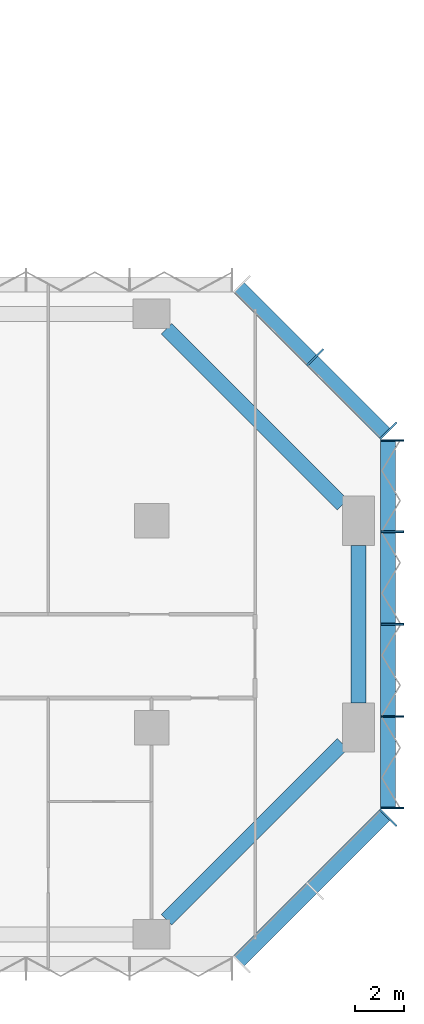
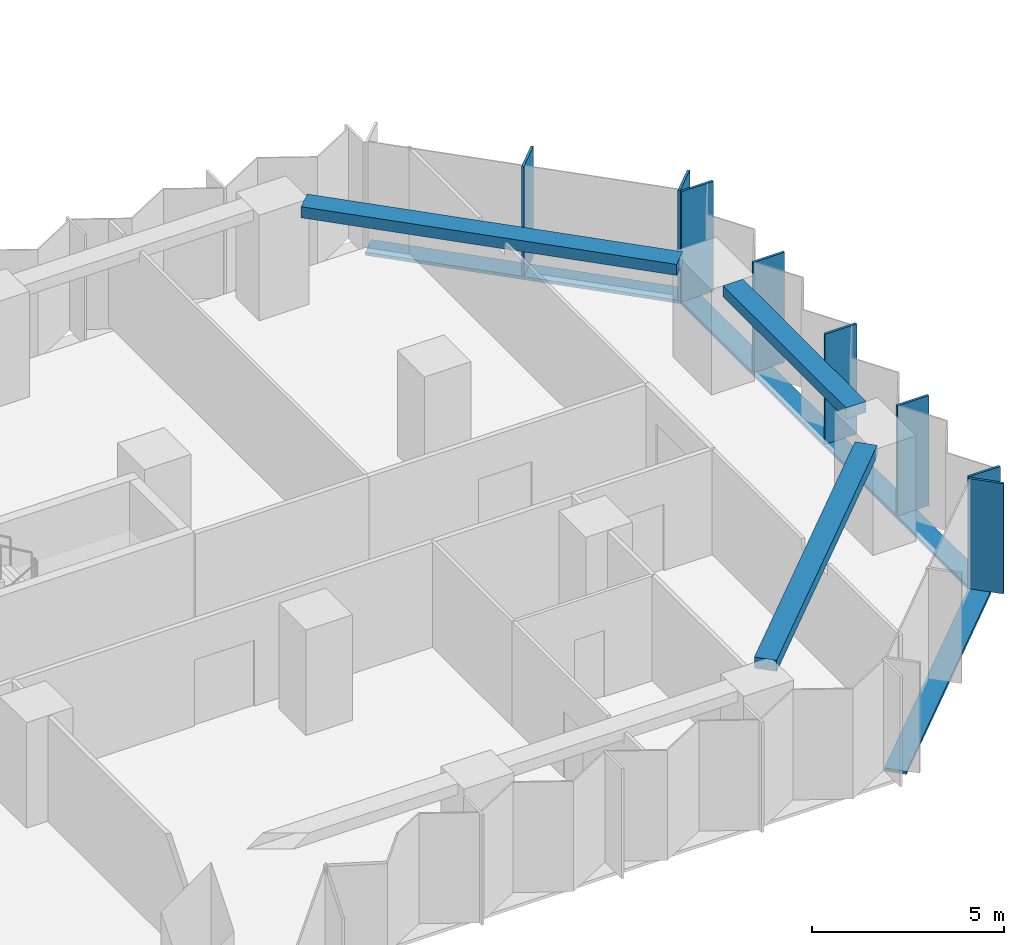
# One storey, part 4 of 15: 11 members, 3 beams, 3 elements without a shape of their own.
"""IFC4 building model written with IfcOpenShell, lengths in metres."""

from ifc_helpers import new_model, si_unit, direction, frame, origin, origin_2d, place, context, subcontext, project, spatial, rectangle, extrude, material, material_profile, profile_set, type_object, element, aggregate, save


model = new_model("IFC4")

# Units and contexts
model_context = context("Model", 3, precision=1e-05, world=origin(), true_north=direction((0.0, 1.0)))
body_context = subcontext(model_context, "Body", "Model", "MODEL_VIEW")
ifc_project = project(units=[si_unit("LENGTHUNIT", "METRE"), si_unit("AREAUNIT", "SQUARE_METRE"), si_unit("VOLUMEUNIT", "CUBIC_METRE"), si_unit("PLANEANGLEUNIT", "RADIAN"), si_unit("MASSUNIT", "GRAM", prefix="KILO")], contexts=[model_context])

# Site, building, storey
site_placement = place(None, origin())
site = spatial("IfcSite", under=ifc_project, at=site_placement, CompositionType="ELEMENT")
building_placement = place(site_placement, origin())
building = spatial("IfcBuilding", under=site, at=building_placement, Name="Brevane Broadcast Tower", CompositionType="ELEMENT")
storey_placement = place(building_placement, frame((0.0, 0.0, 58.10009765625)))
storey = spatial("IfcBuildingStorey", under=building, at=storey_placement, Name="L12", CompositionType="ELEMENT", Elevation=58.10009765625)

# Curtain wall, member
ifc_material_1 = material(Name="Aluminium 6063-T6 bronze anodised", Category="aluminium")
curtain_wall_type = type_object("IfcCurtainWallType", Name="CW-1 curtain wall", PredefinedType="NOTDEFINED", material=ifc_material_1)
curtain_wall_1_placement = place(storey_placement, origin())
curtain_wall_1 = element("IfcCurtainWall", 1, at=curtain_wall_1_placement, inside=storey, type_object=curtain_wall_type, Name="CW-1 typical tilted unit L12 south-east chamfer", PredefinedType="NOTDEFINED")
ifc_material_profile_1 = material_profile(ifc_material_1, rectangle(XDim=0.949951171875, YDim=0.070068359375, at=origin_2d()), Name="RECT 70x950")
ifc_profile_set_1 = profile_set([ifc_material_profile_1], Name="Aluminium 6063-T6 bronze anodised")
member_type_1 = type_object("IfcMemberType", Name="CW-1 mullion 70x950", PredefinedType="MULLION", material=ifc_profile_set_1)
member_1_placement = place(storey_placement, frame((68.4111328125, 4.7392578125, -0.150146484375), z_axis=(0.0, 0.0, 1.0), x_axis=(-0.707106781187, 0.707106781187, 0.0)))
member_1 = element("IfcMember", 2, at=member_1_placement, type_object=member_type_1, Name="CW-1 mullion", PredefinedType="MULLION", context=body_context, shape_type="SweptSolid", body=[
    extrude(rectangle(XDim=0.949951171875, YDim=0.070068359375, at=origin_2d()), origin(), (0.0, 0.0, 1.0), 3.5),
])

# Curtain wall, members
curtain_wall_2_placement = place(storey_placement, origin())
curtain_wall_2 = element("IfcCurtainWall", 3, at=curtain_wall_2_placement, inside=storey, type_object=curtain_wall_type, Name="CW-1 typical tilted unit L12 east end", PredefinedType="NOTDEFINED")
member_2_placement = place(storey_placement, frame((68.574951171875, 5.135009765625, -0.150146484375), z_axis=(0.0, 0.0, 1.0), x_axis=(-1.0, 0.0, 0.0)))
member_2 = element("IfcMember", 4, at=member_2_placement, type_object=member_type_1, Name="CW-1 mullion", PredefinedType="MULLION", context=body_context, shape_type="SweptSolid", body=[
    extrude(rectangle(XDim=0.949951171875, YDim=0.070068359375, at=origin_2d()), origin(), (0.0, 0.0, 1.0), 3.5),
])
member_3_placement = place(storey_placement, frame((68.574951171875, 8.85009765625, -0.150146484375), z_axis=(0.0, 0.0, 1.0), x_axis=(-1.0, 0.0, 0.0)))
member_3 = element("IfcMember", 5, at=member_3_placement, type_object=member_type_1, Name="CW-1 mullion", PredefinedType="MULLION", context=body_context, shape_type="SweptSolid", body=[
    extrude(rectangle(XDim=0.949951171875, YDim=0.070068359375, at=origin_2d()), origin(), (0.0, 0.0, 1.0), 3.5),
])
member_4_placement = place(storey_placement, frame((68.574951171875, 12.60009765625, -0.150146484375), z_axis=(0.0, 0.0, 1.0), x_axis=(-1.0, 0.0, 0.0)))
member_4 = element("IfcMember", 6, at=member_4_placement, type_object=member_type_1, Name="CW-1 mullion", PredefinedType="MULLION", context=body_context, shape_type="SweptSolid", body=[
    extrude(rectangle(XDim=0.949951171875, YDim=0.070068359375, at=origin_2d()), origin(), (0.0, 0.0, 1.0), 3.5),
])
member_5_placement = place(storey_placement, frame((68.574951171875, 16.35009765625, -0.150146484375), z_axis=(0.0, 0.0, 1.0), x_axis=(-1.0, 0.0, 0.0)))
member_5 = element("IfcMember", 7, at=member_5_placement, type_object=member_type_1, Name="CW-1 mullion", PredefinedType="MULLION", context=body_context, shape_type="SweptSolid", body=[
    extrude(rectangle(XDim=0.949951171875, YDim=0.070068359375, at=origin_2d()), origin(), (0.0, 0.0, 1.0), 3.5),
])
member_6_placement = place(storey_placement, frame((68.574951171875, 20.06494140625, -0.150146484375), z_axis=(0.0, 0.0, 1.0), x_axis=(-1.0, 0.0, 0.0)))
member_6 = element("IfcMember", 8, at=member_6_placement, type_object=member_type_1, Name="CW-1 mullion", PredefinedType="MULLION", context=body_context, shape_type="SweptSolid", body=[
    extrude(rectangle(XDim=0.949951171875, YDim=0.070068359375, at=origin_2d()), origin(), (0.0, 0.0, 1.0), 3.5),
])

curtain_wall_3_placement = place(storey_placement, origin())
curtain_wall_3 = element("IfcCurtainWall", 9, at=curtain_wall_3_placement, inside=storey, type_object=curtain_wall_type, Name="CW-1 typical tilted unit L12 north-east chamfer", PredefinedType="NOTDEFINED")
member_7_placement = place(storey_placement, frame((68.4111328125, 20.460693359375, -0.150146484375), z_axis=(0.0, 0.0, 1.0), x_axis=(-0.707106781187, -0.707106781187, 0.0)))
member_7 = element("IfcMember", 10, at=member_7_placement, type_object=member_type_1, Name="CW-1 mullion", PredefinedType="MULLION", context=body_context, shape_type="SweptSolid", body=[
    extrude(rectangle(XDim=0.949951171875, YDim=0.070068359375, at=origin_2d()), origin(), (0.0, 0.0, 1.0), 3.5),
])
member_8_placement = place(storey_placement, frame((65.435791015625, 23.435791015625, -0.150146484375), z_axis=(0.0, 0.0, 1.0), x_axis=(-0.707106781187, -0.707106781187, 0.0)))
member_8 = element("IfcMember", 11, at=member_8_placement, type_object=member_type_1, Name="CW-1 mullion", PredefinedType="MULLION", context=body_context, shape_type="SweptSolid", body=[
    extrude(rectangle(XDim=0.949951171875, YDim=0.070068359375, at=origin_2d()), origin(), (0.0, 0.0, 1.0), 3.5),
])

# Member
ifc_material_profile_2 = material_profile(ifc_material_1, rectangle(XDim=0.60009765625, YDim=0.10009765625, at=origin_2d()), Name="RECT 100x600")
ifc_profile_set_2 = profile_set([ifc_material_profile_2], Name="Aluminium 6063-T6 bronze anodised")
member_type_2 = type_object("IfcMemberType", Name="CW-1 transom 100x600", PredefinedType="USERDEFINED", material=ifc_profile_set_2)
member_9_placement = place(storey_placement, frame((62.31201171875, -1.112060546875, -0.2001953125), z_axis=(0.707106781187, 0.707106781187, 0.0), x_axis=(-0.707106781187, 0.707106781187, 0.0)))
member_9 = element("IfcMember", 12, at=member_9_placement, type_object=member_type_2, Name="CW-1 transom", ObjectType="TRANSOM", PredefinedType="USERDEFINED", context=body_context, shape_type="SweptSolid", body=[
    extrude(rectangle(XDim=0.60009765625, YDim=0.10009765625, at=origin_2d()), origin(), (0.0, 0.0, 1.0), 8.4853515625),
])

aggregate(curtain_wall_1, [member_1, member_9])

member_10_placement = place(storey_placement, frame((68.39990234375, 5.10009765625, -0.2001953125), z_axis=(0.0, 1.0, 0.0), x_axis=(-1.0, 0.0, 0.0)))
member_10 = element("IfcMember", 13, at=member_10_placement, type_object=member_type_2, Name="CW-1 transom", ObjectType="TRANSOM", PredefinedType="USERDEFINED", context=body_context, shape_type="SweptSolid", body=[
    extrude(rectangle(XDim=0.60009765625, YDim=0.10009765625, at=origin_2d()), origin(), (0.0, 0.0, 1.0), 15.0),
])

aggregate(curtain_wall_2, [member_2, member_3, member_4, member_5, member_6, member_10])

member_11_placement = place(storey_placement, frame((68.31201171875, 20.31201171875, -0.2001953125), z_axis=(-0.707106781187, 0.707106781187, 0.0), x_axis=(-0.707106781187, -0.707106781187, 0.0)))
member_11 = element("IfcMember", 14, at=member_11_placement, type_object=member_type_2, Name="CW-1 transom", ObjectType="TRANSOM", PredefinedType="USERDEFINED", context=body_context, shape_type="SweptSolid", body=[
    extrude(rectangle(XDim=0.60009765625, YDim=0.10009765625, at=origin_2d()), origin(), (0.0, 0.0, 1.0), 8.4853515625),
])

aggregate(curtain_wall_3, [member_7, member_8, member_11])

# Beams
ifc_material_2 = material(Name="Concrete C40/50", Category="concrete")
ifc_material_profile_3 = material_profile(ifc_material_2, rectangle(XDim=0.60009765625, YDim=0.35009765625, at=origin_2d()), Name="RC 600x350")
ifc_profile_set_3 = profile_set([ifc_material_profile_3], Name="Concrete C40/50")
beam_type = type_object("IfcBeamType", Name="RC SPANDREL BEAM 600x350 C40/50", PredefinedType="SPANDREL", material=ifc_profile_set_3)
beam_1_placement = place(storey_placement, frame((59.39990234375, 0.60009765625, 3.1748046875), z_axis=(0.707118853314, 0.707094708853, 0.0), x_axis=(-0.707094708853, 0.707118853314, 0.0)))
element("IfcBeam", 15, at=beam_1_placement, inside=storey, type_object=beam_type, Name="EB1 L12-5", PredefinedType="SPANDREL", context=body_context, shape_type="SweptSolid", body=[
    extrude(rectangle(XDim=0.60009765625, YDim=0.35009765625, at=origin_2d()), origin(), (0.0, 0.0, 1.0), 10.111572265625),
])
beam_2_placement = place(storey_placement, frame((67.199951171875, 9.39990234375, 3.1748046875), z_axis=(0.0, 1.0, 0.0), x_axis=(-1.0, 0.0, 0.0)))
element("IfcBeam", 16, at=beam_2_placement, inside=storey, type_object=beam_type, Name="EB1 L12-6", PredefinedType="SPANDREL", context=body_context, shape_type="SweptSolid", body=[
    extrude(rectangle(XDim=0.60009765625, YDim=0.35009765625, at=origin_2d()), origin(), (0.0, 0.0, 1.0), 6.400146484375),
])
beam_3_placement = place(storey_placement, frame((66.550048828125, 17.449951171875, 3.1748046875), z_axis=(-0.707106781187, 0.707106781187, 0.0), x_axis=(-0.707106781187, -0.707106781187, 0.0)))
element("IfcBeam", 17, at=beam_3_placement, inside=storey, type_object=beam_type, Name="EB1 L12-7", PredefinedType="SPANDREL", context=body_context, shape_type="SweptSolid", body=[
    extrude(rectangle(XDim=0.60009765625, YDim=0.35009765625, at=origin_2d()), origin(), (0.0, 0.0, 1.0), 10.11181640625),
])

save(model, "model.ifc")
